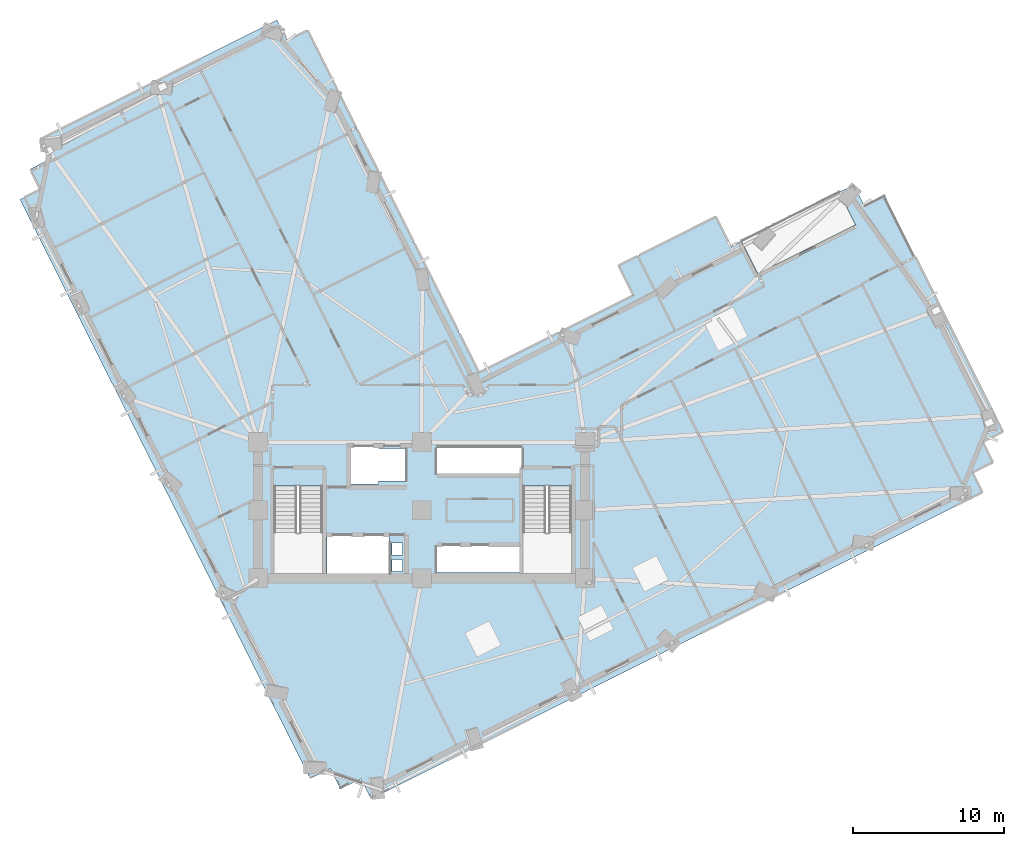
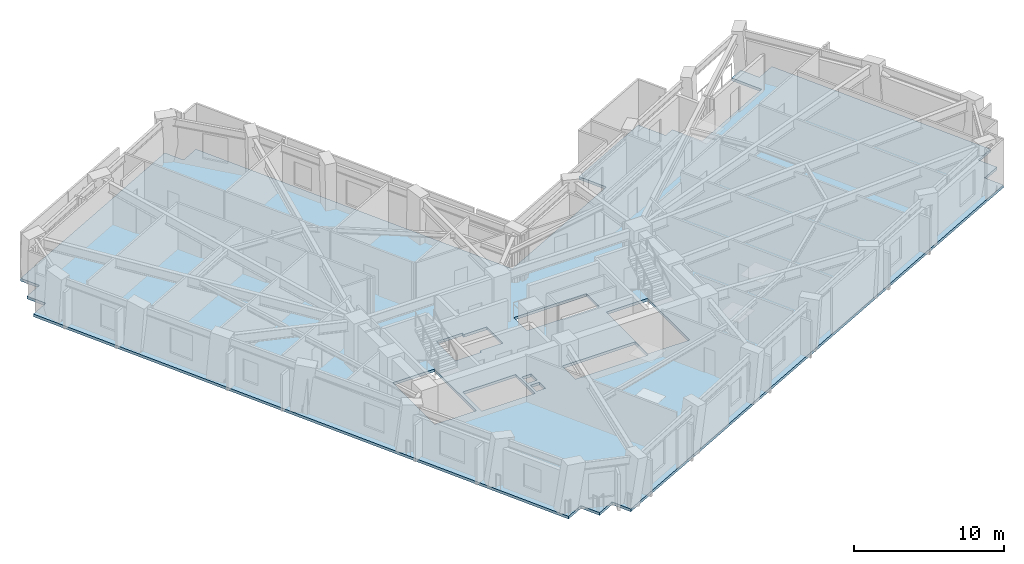
# One storey, part 4 of 16: 1 slab.
"""IFC4 building model written with IfcOpenShell, lengths in metres."""

from ifc_helpers import new_model, si_unit, direction, frame, origin, place, context, subcontext, project, spatial, polyline, outline, extrude, material, layer, layer_set, type_object, element, save


model = new_model("IFC4")

# Units and contexts
model_context = context("Model", 3, precision=1e-05, world=origin(), true_north=direction((0.0, 1.0)))
body_context = subcontext(model_context, "Body", "Model", "MODEL_VIEW")
ifc_project = project(units=[si_unit("LENGTHUNIT", "METRE"), si_unit("AREAUNIT", "SQUARE_METRE"), si_unit("VOLUMEUNIT", "CUBIC_METRE"), si_unit("PLANEANGLEUNIT", "RADIAN"), si_unit("MASSUNIT", "GRAM", prefix="KILO")], contexts=[model_context])

# Site, building, storey
site_placement = place(None, origin())
site = spatial("IfcSite", under=ifc_project, at=site_placement, CompositionType="ELEMENT")
building_placement = place(site_placement, origin())
building = spatial("IfcBuilding", under=site, at=building_placement, Name="Gaonmaruhae Medical Tower", CompositionType="ELEMENT")
storey_placement = place(building_placement, frame((0.0, 0.0, 136.39990234375)))
storey = spatial("IfcBuildingStorey", under=building, at=storey_placement, Name="L32", CompositionType="ELEMENT", Elevation=136.39990234375)

# Slab
ifc_material = material(Name="Concrete C40/50", Category="concrete")
ifc_layer = layer(ifc_material, 0.219970703125)
ifc_layer_set = layer_set([ifc_layer], Name="Concrete C40/50")
slab_type = type_object("IfcSlabType", Name="FS-220 Clinical Ward Composite Floor Slab", PredefinedType="FLOOR", material=ifc_layer_set)
slab_placement = place(storey_placement, frame((0.0, 0.0, -0.219970703125)))
element("IfcSlab", 1, at=slab_placement, inside=storey, type_object=slab_type, Name="L32 Structural Slab 1", PredefinedType="FLOOR", context=body_context, shape_type="SweptSolid", body=[
    extrude(outline(polyline([(54.032958984375, 32.459716796875), (55.374267578125, 33.131591796875), (63.2099609375, 17.48388671875), (61.868896484375, 16.81201171875), (62.540283203125, 15.470947265625), (61.19921875, 14.79931640625), (61.870849609375, 13.4580078125), (21.455078125, -6.78076171875), (20.783447265625, -5.439453125), (19.442138671875, -6.111083984375), (18.7705078125, -4.77001953125), (17.42919921875, -5.44140625), (-1.73486328125, 32.828369140625), (-0.3935546875, 33.5), (-1.065185546875, 34.84130859375), (0.27587890625, 35.5126953125), (-0.3955078125, 36.85400390625), (15.252197265625, 44.689697265625), (15.923583984375, 43.3486328125), (17.264892578125, 44.020263671875), (28.59326171875, 21.398193359375), (38.78662109375, 26.502685546875), (37.801513671875, 28.4697265625), (44.239501953125, 31.693603515625), (45.224609375, 29.726318359375), (45.93994140625, 30.084716796875), (47.014404296875, 27.938720703125), (53.452392578125, 31.16259765625), (52.377685546875, 33.30859375), (53.361328125, 33.801025390625), (54.032958984375, 32.459716796875)]), holes=[polyline([(23.550048828125, 8.25), (22.85009765625, 8.25), (22.85009765625, 9.050048828125), (23.550048828125, 9.050048828125), (23.550048828125, 8.25)]), polyline([(25.824951171875, 9.925048828125), (31.425048828125, 9.925048828125), (31.425048828125, 8.175048828125), (25.824951171875, 8.175048828125), (25.824951171875, 9.925048828125)]), polyline([(22.64990234375, 10.625), (22.64990234375, 8.074951171875), (18.550048828125, 8.074951171875), (18.550048828125, 10.625), (22.64990234375, 10.625)]), polyline([(23.550048828125, 9.35009765625), (22.85009765625, 9.35009765625), (22.85009765625, 10.14990234375), (23.550048828125, 10.14990234375), (23.550048828125, 9.35009765625)]), polyline([(15.050048828125, 13.889892578125), (18.25, 13.889892578125), (18.25, 8.300048828125), (15.050048828125, 8.300048828125), (15.050048828125, 13.889892578125)]), polyline([(31.5, 13.889892578125), (34.699951171875, 13.889892578125), (34.699951171875, 8.300048828125), (31.5, 8.300048828125), (31.5, 13.889892578125)]), polyline([(21.949951171875, 14.22509765625), (21.949951171875, 14.02490234375), (19.949951171875, 14.02490234375), (19.949951171875, 16.574951171875), (21.949951171875, 16.574951171875), (21.949951171875, 16.375), (23.72509765625, 16.375), (23.72509765625, 14.22509765625), (21.949951171875, 14.22509765625)]), polyline([(25.824951171875, 16.425048828125), (31.425048828125, 16.425048828125), (31.425048828125, 14.675048828125), (25.824951171875, 14.675048828125), (25.824951171875, 16.425048828125)])]), origin(), (0.0, 0.0, 1.0), 0.219970703125),
])

save(model, "model.ifc")
